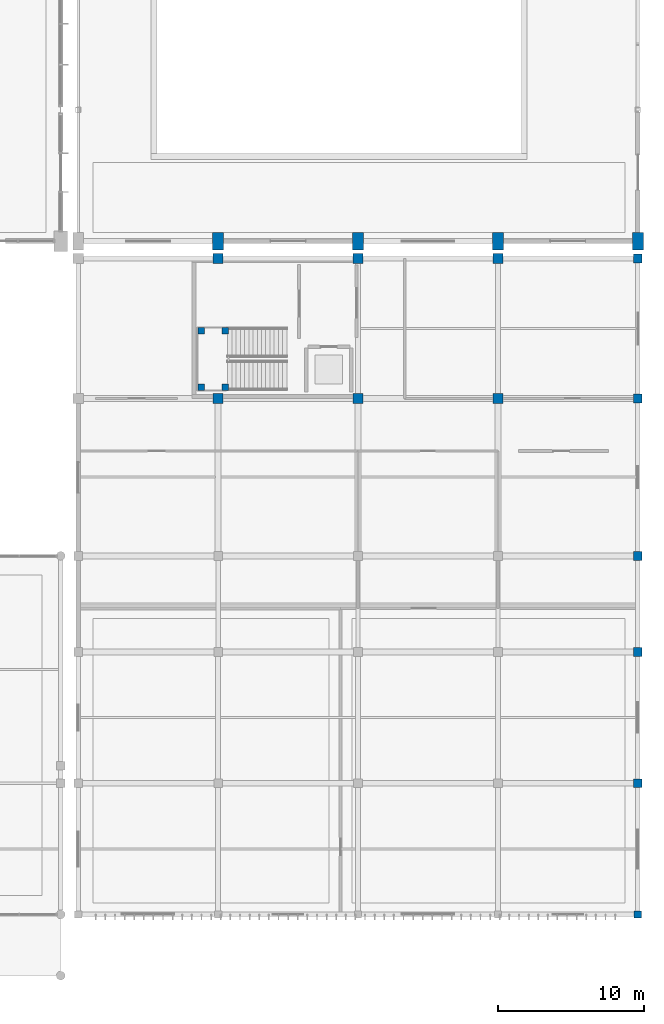
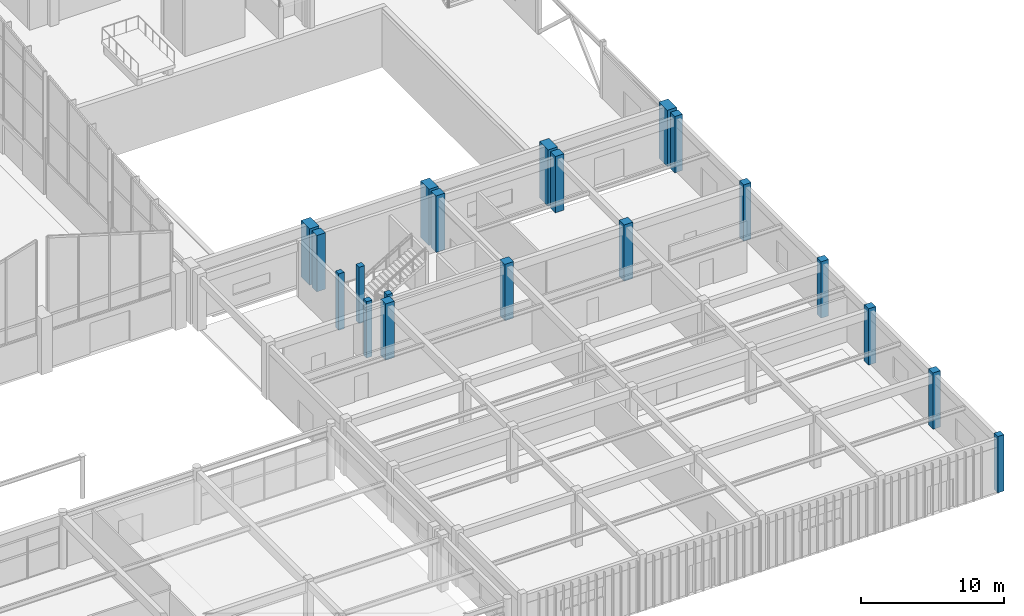
# One storey, part 11 of 82: 20 columns.
"""IFC4 building model written with IfcOpenShell, lengths in metres."""

from ifc_helpers import new_model, si_unit, direction, frame, origin, origin_2d, place, context, subcontext, project, spatial, rectangle, extrude, material, material_profile, profile_set, type_object, element, save


model = new_model("IFC4")

# Units and contexts
model_context = context("Model", 3, precision=1e-05, world=origin(), true_north=direction((0.0, 1.0)))
body_context = subcontext(model_context, "Body", "Model", "MODEL_VIEW")
ifc_project = project(units=[si_unit("LENGTHUNIT", "METRE"), si_unit("AREAUNIT", "SQUARE_METRE"), si_unit("VOLUMEUNIT", "CUBIC_METRE"), si_unit("PLANEANGLEUNIT", "RADIAN"), si_unit("MASSUNIT", "GRAM", prefix="KILO")], contexts=[model_context])

# Site, building, storey
site_placement = place(None, origin())
site = spatial("IfcSite", under=ifc_project, at=site_placement, CompositionType="ELEMENT")
building_placement = place(site_placement, origin())
building = spatial("IfcBuilding", under=site, at=building_placement, Name="Suirenkawa Promenade Aquatics Centre", CompositionType="ELEMENT")
storey_placement = place(building_placement, origin())
storey = spatial("IfcBuildingStorey", under=building, at=storey_placement, Name="L00", CompositionType="ELEMENT", Elevation=0.0)

# Columns
ifc_material = material(Name="Concrete M40", Category="concrete")
ifc_material_profile_1 = material_profile(ifc_material, rectangle(XDim=0.75, YDim=1.199951171875, at=origin_2d()), Name="RC PIER 750x1200", Category="concrete")
ifc_profile_set_1 = profile_set([ifc_material_profile_1], Name="Concrete M40")
column_type_1 = type_object("IfcColumnType", Name="CT-PIER-750x1200", PredefinedType="COLUMN", material=ifc_profile_set_1)
for number, where, z_axis, x_axis, name in (
    (1, (165.60009765625, 50.39990234375, 0.0), (0.0, 0.0, 1.0), (1.0, 0.0, 0.0), "Column CL-08 COL-0085"),
    (2, (175.199951171875, 50.39990234375, 0.0), (0.0, 0.0, 1.0), (1.0, 0.0, 0.0), "Column CL-08 COL-0089"),
    (3, (184.800048828125, 50.39990234375, 0.0), (0.0, 0.0, 1.0), (1.0, 0.0, 0.0), "Column CL-08 COL-0093"),
    (4, (194.39990234375, 50.39990234375, 0.0), (0.0, 0.0, 1.0), (1.0, 0.0, 0.0), "Column CL-08 COL-0097"),
):
    element("IfcColumn", number, at=place(storey_placement, frame(where, z_axis=z_axis, x_axis=x_axis)), inside=storey, type_object=column_type_1, Name=name, PredefinedType="COLUMN", context=body_context, shape_type="SweptSolid", body=[
        extrude(rectangle(XDim=0.75, YDim=1.199951171875, at=origin_2d()), origin(), (0.0, 0.0, 1.0), 4.800048828125),
    ])
ifc_material_profile_2 = material_profile(ifc_material, rectangle(XDim=0.449951171875, YDim=0.449951171875, at=origin_2d()), Name="RC COL 450x450", Category="concrete")
ifc_profile_set_2 = profile_set([ifc_material_profile_2], Name="Concrete M40")
column_type_2 = type_object("IfcColumnType", Name="CT-RC-450", PredefinedType="COLUMN", material=ifc_profile_set_2)
for number, where, z_axis, x_axis, name in (
    (5, (164.449951171875, 40.3701171875, 0.0), (0.0, 0.0, 1.0), (1.0, 0.0, 0.0), "Core stair landing column CL-01 COL-CR-C6-L00-1"),
    (6, (166.10009765625, 40.3701171875, 0.0), (0.0, 0.0, 1.0), (1.0, 0.0, 0.0), "Core stair landing column CL-01 COL-CR-C6-L00-2"),
    (7, (164.449951171875, 44.260009765625, 0.0), (0.0, 0.0, 1.0), (1.0, 0.0, 0.0), "Core stair landing column CL-01 COL-CR-C6-L00-3"),
    (8, (166.10009765625, 44.260009765625, 0.0), (0.0, 0.0, 1.0), (1.0, 0.0, 0.0), "Core stair landing column CL-01 COL-CR-C6-L00-4"),
):
    element("IfcColumn", number, at=place(storey_placement, frame(where, z_axis=z_axis, x_axis=x_axis)), inside=storey, type_object=column_type_2, Name=name, PredefinedType="COLUMN", context=body_context, shape_type="SweptSolid", body=[
        extrude(rectangle(XDim=0.449951171875, YDim=0.449951171875, at=origin_2d()), origin(), (0.0, 0.0, 1.0), 4.800048828125),
    ])
ifc_material_profile_3 = material_profile(ifc_material, rectangle(XDim=0.5, YDim=0.5, at=origin_2d()), Name="RC COL 500x500", Category="concrete")
ifc_profile_set_3 = profile_set([ifc_material_profile_3], Name="Concrete M40")
column_type_3 = type_object("IfcColumnType", Name="CT-RC-500", PredefinedType="COLUMN", material=ifc_profile_set_3)
column_placement = place(storey_placement, frame((194.39990234375, 4.199951171875, 0.0), z_axis=(0.0, 0.0, 1.0), x_axis=(1.0, 0.0, 0.0)))
element("IfcColumn", 9, at=column_placement, inside=storey, type_object=column_type_3, Name="Column CL-02 COL-0933", PredefinedType="COLUMN", context=body_context, shape_type="SweptSolid", body=[
    extrude(rectangle(XDim=0.5, YDim=0.5, at=origin_2d()), origin(), (0.0, 0.0, 1.0), 4.800048828125),
])
ifc_material_profile_4 = material_profile(ifc_material, rectangle(XDim=0.60009765625, YDim=0.60009765625, at=origin_2d()), Name="RC COL 600x600", Category="concrete")
ifc_profile_set_4 = profile_set([ifc_material_profile_4], Name="Concrete M40")
column_type_4 = type_object("IfcColumnType", Name="CT-RC-600", PredefinedType="COLUMN", material=ifc_profile_set_4)
for number, where, z_axis, x_axis, name in (
    (10, (194.39990234375, 13.199951171875, 0.0), (0.0, 0.0, 1.0), (1.0, 0.0, 0.0), "Column CL-03 COL-0697"),
    (11, (194.39990234375, 22.199951171875, 0.0), (0.0, 0.0, 1.0), (1.0, 0.0, 0.0), "Column CL-03 COL-0701"),
    (12, (194.39990234375, 28.800048828125, 0.0), (0.0, 0.0, 1.0), (1.0, 0.0, 0.0), "Column CL-03 COL-0705"),
    (13, (194.39990234375, 39.60009765625, 0.0), (0.0, 0.0, 1.0), (1.0, 0.0, 0.0), "Column CL-03 COL-0709"),
    (14, (194.39990234375, 49.199951171875, 0.0), (0.0, 0.0, 1.0), (1.0, 0.0, 0.0), "Column CL-03 COL-0713"),
):
    element("IfcColumn", number, at=place(storey_placement, frame(where, z_axis=z_axis, x_axis=x_axis)), inside=storey, type_object=column_type_4, Name=name, PredefinedType="COLUMN", context=body_context, shape_type="SweptSolid", body=[
        extrude(rectangle(XDim=0.60009765625, YDim=0.60009765625, at=origin_2d()), origin(), (0.0, 0.0, 1.0), 4.800048828125),
    ])
ifc_material_profile_5 = material_profile(ifc_material, rectangle(XDim=0.699951171875, YDim=0.699951171875, at=origin_2d()), Name="RC COL 700x700", Category="concrete")
ifc_profile_set_5 = profile_set([ifc_material_profile_5], Name="Concrete M40")
column_type_5 = type_object("IfcColumnType", Name="CT-RC-700", PredefinedType="COLUMN", material=ifc_profile_set_5)
for number, where, z_axis, x_axis, name in (
    (15, (165.60009765625, 39.60009765625, 0.0), (0.0, 0.0, 1.0), (1.0, 0.0, 0.0), "Column CL-04 COL-0463"),
    (16, (165.60009765625, 49.199951171875, 0.0), (0.0, 0.0, 1.0), (1.0, 0.0, 0.0), "Column CL-04 COL-0468"),
    (17, (175.199951171875, 39.60009765625, 0.0), (0.0, 0.0, 1.0), (1.0, 0.0, 0.0), "Column CL-04 COL-0473"),
    (18, (175.199951171875, 49.199951171875, 0.0), (0.0, 0.0, 1.0), (1.0, 0.0, 0.0), "Column CL-04 COL-0478"),
    (19, (184.800048828125, 39.60009765625, 0.0), (0.0, 0.0, 1.0), (1.0, 0.0, 0.0), "Column CL-04 COL-0483"),
    (20, (184.800048828125, 49.199951171875, 0.0), (0.0, 0.0, 1.0), (1.0, 0.0, 0.0), "Column CL-04 COL-0488"),
):
    element("IfcColumn", number, at=place(storey_placement, frame(where, z_axis=z_axis, x_axis=x_axis)), inside=storey, type_object=column_type_5, Name=name, PredefinedType="COLUMN", context=body_context, shape_type="SweptSolid", body=[
        extrude(rectangle(XDim=0.699951171875, YDim=0.699951171875, at=origin_2d()), origin(), (0.0, 0.0, 1.0), 4.800048828125),
    ])

save(model, "model.ifc")
